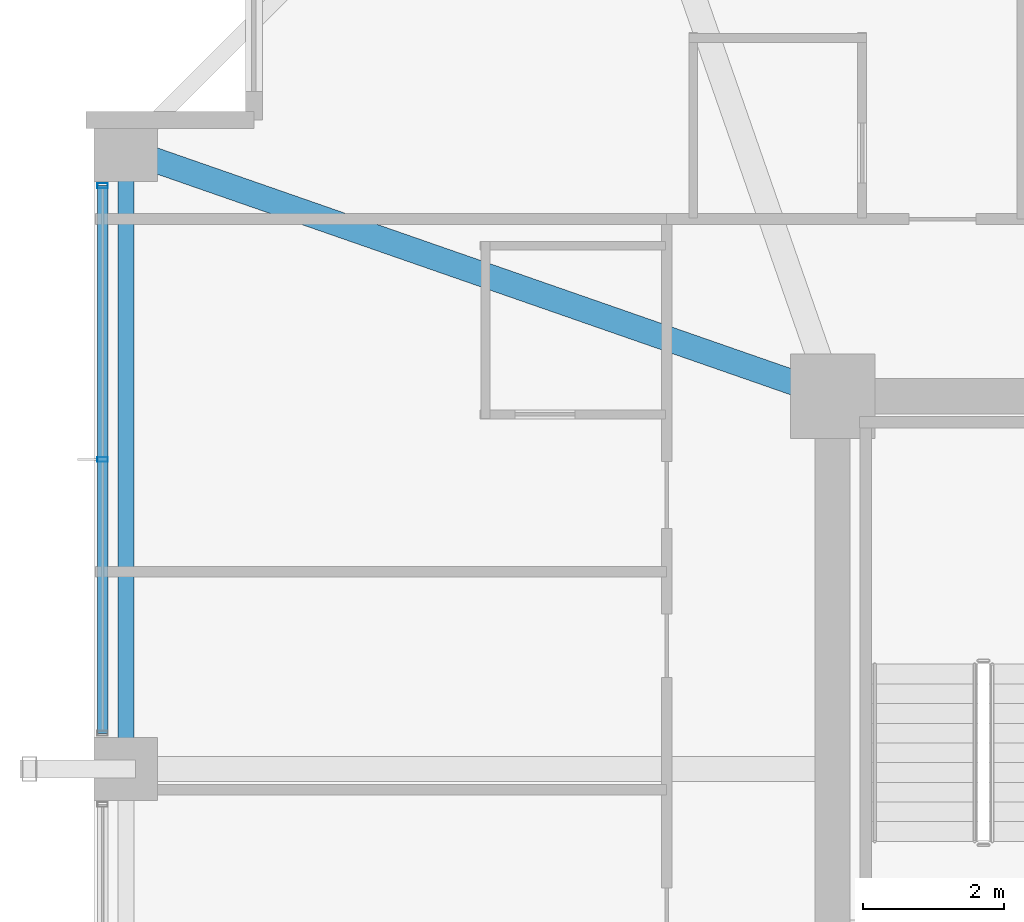
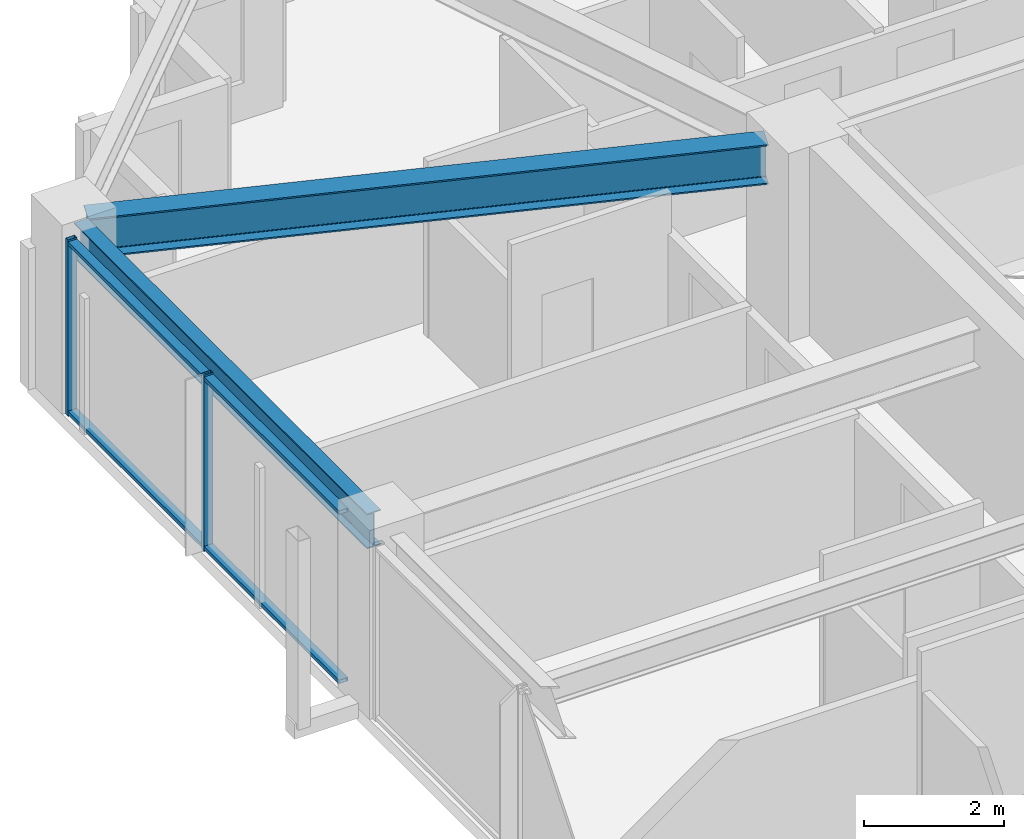
# One storey, part 16 of 37: 4 members, 2 beams, 1 element without a shape of its own.
"""IFC4 building model written with IfcOpenShell, lengths in metres."""

from ifc_helpers import new_model, si_unit, direction, frame, origin, origin_2d, place, context, subcontext, project, spatial, hollow_rectangle, i_section, extrude, material, material_profile, profile_set, type_object, element, aggregate, save


model = new_model("IFC4")

# Units and contexts
model_context = context("Model", 3, precision=1e-05, world=origin(), true_north=direction((0.0, 1.0)))
body_context = subcontext(model_context, "Body", "Model", "MODEL_VIEW")
ifc_project = project(units=[si_unit("LENGTHUNIT", "METRE"), si_unit("AREAUNIT", "SQUARE_METRE"), si_unit("VOLUMEUNIT", "CUBIC_METRE"), si_unit("PLANEANGLEUNIT", "RADIAN"), si_unit("MASSUNIT", "GRAM", prefix="KILO")], contexts=[model_context])

# Site, building, storey
site_placement = place(None, origin())
site = spatial("IfcSite", under=ifc_project, at=site_placement, CompositionType="ELEMENT")
building_placement = place(site_placement, origin())
building = spatial("IfcBuilding", under=site, at=building_placement, Name="Kolvaren Belvedere", CompositionType="ELEMENT")
storey_placement = place(building_placement, frame((0.0, 0.0, 180.0)))
storey = spatial("IfcBuildingStorey", under=building, at=storey_placement, Name="L52", CompositionType="ELEMENT", Elevation=180.0)

# Beams
ifc_material_1 = material(Name="Structural steel ASTM A992 Grade 50", Category="steel")
ifc_material_profile_1 = material_profile(ifc_material_1, i_section(OverallWidth=0.35498046875, OverallDepth=0.696044921875, WebThickness=0.015380859375, FlangeThickness=0.02490234375, FilletRadius=0.02197265625, at=origin_2d()), Name="W27X146")
ifc_profile_set_1 = profile_set([ifc_material_profile_1], Name="Structural steel ASTM A992 Grade 50")
beam_type_1 = type_object("IfcBeamType", Name="BM-GIRD-W27X146", PredefinedType="BEAM", material=ifc_profile_set_1)
beam_1_placement = place(storey_placement, frame((-10.41943359375, 10.080810546875, 2.73193359375), z_axis=(-0.944366798861, 0.328894130701, 0.0), x_axis=(-0.328894130701, -0.944366798861, 0.0)))
element("IfcBeam", 1, at=beam_1_placement, inside=storey, type_object=beam_type_1, Name="L52 Corner Core-to-Perimeter Girder CC4-W4", PredefinedType="BEAM", context=body_context, shape_type="SweptSolid", body=[
    extrude(i_section(OverallWidth=0.35498046875, OverallDepth=0.696044921875, WebThickness=0.015380859375, FlangeThickness=0.02490234375, FilletRadius=0.02197265625, at=origin_2d()), origin(), (0.0, 0.0, 1.0), 9.912109375),
])
ifc_material_2 = material(Name="Structural steel ASTM A992 Grade 50", Category="steel")
ifc_material_profile_2 = material_profile(ifc_material_2, i_section(OverallWidth=0.22900390625, OverallDepth=0.612060546875, WebThickness=0.011962890625, FlangeThickness=0.01953125, FilletRadius=0.01806640625, at=origin_2d()), Name="W24X84")
ifc_profile_set_2 = profile_set([ifc_material_profile_2], Name="Structural steel ASTM A992 Grade 50")
beam_type_2 = type_object("IfcBeamType", Name="BM-SPAN-W24X84", PredefinedType="SPANDREL", material=ifc_profile_set_2)
beam_2_placement = place(storey_placement, frame((-19.949951171875, 13.197509765625, 2.77392578125), z_axis=(0.0, -1.0, 0.0), x_axis=(1.0, 0.0, 0.0)))
element("IfcBeam", 2, at=beam_2_placement, inside=storey, type_object=beam_type_2, Name="L52 Perimeter Spandrel W4-W3", PredefinedType="SPANDREL", context=body_context, shape_type="SweptSolid", body=[
    extrude(i_section(OverallWidth=0.22900390625, OverallDepth=0.612060546875, WebThickness=0.011962890625, FlangeThickness=0.01953125, FilletRadius=0.01806640625, at=origin_2d()), origin(), (0.0, 0.0, 1.0), 8.39501953125),
])

# Curtain wall, members
ifc_material_3 = material(Name="Anodised pale-metal aluminium AA 6063-T6", Category="aluminium")
curtain_wall_type = type_object("IfcCurtainWallType", Name="CW-Z5-HIGH", PredefinedType="NOTDEFINED", material=ifc_material_3)
curtain_wall_placement = place(storey_placement, origin())
curtain_wall = element("IfcCurtainWall", 3, at=curtain_wall_placement, inside=storey, type_object=curtain_wall_type, Name="L52 Unitised Curtain Wall FCW-L52-W-B3", PredefinedType="NOTDEFINED")
ifc_material_4 = material(Name="Anodised pale-metal aluminium AA 6063-T6", Category="aluminium")
ifc_material_profile_3 = material_profile(ifc_material_4, hollow_rectangle(XDim=0.070068359375, YDim=0.14990234375, WallThickness=0.004150390625, at=origin_2d()), Name="ALU-MUL-150X70")
ifc_profile_set_3 = profile_set([ifc_material_profile_3], Name="Anodised pale-metal aluminium AA 6063-T6")
member_type_1 = type_object("IfcMemberType", Name="CW-MUL-150", PredefinedType="MULLION", material=ifc_profile_set_3)
member_1_placement = place(storey_placement, frame((-20.280029296875, 9.0, 0.0), z_axis=(0.0, 0.0, 1.0), x_axis=(0.0, 1.0, 0.0)))
member_1 = element("IfcMember", 4, at=member_1_placement, type_object=member_type_1, Name="FCW-L52-W-B3 Unitised Mullion 2", PredefinedType="MULLION", context=body_context, shape_type="SweptSolid", body=[
    extrude(hollow_rectangle(XDim=0.070068359375, YDim=0.14990234375, WallThickness=0.004150390625, at=origin_2d()), origin(), (0.0, 0.0, 1.0), 3.080078125),
])
member_2_placement = place(storey_placement, frame((-20.280029296875, 12.89501953125, 0.0), z_axis=(0.0, 0.0, 1.0), x_axis=(0.0, 1.0, 0.0)))
member_2 = element("IfcMember", 5, at=member_2_placement, type_object=member_type_1, Name="FCW-L52-W-B3 Unitised Mullion 3", PredefinedType="MULLION", context=body_context, shape_type="SweptSolid", body=[
    extrude(hollow_rectangle(XDim=0.070068359375, YDim=0.14990234375, WallThickness=0.004150390625, at=origin_2d()), origin(), (0.0, 0.0, 1.0), 3.080078125),
])
ifc_material_5 = material(Name="Anodised pale-metal aluminium AA 6063-T6", Category="aluminium")
ifc_material_profile_4 = material_profile(ifc_material_5, hollow_rectangle(XDim=0.06494140625, YDim=0.14990234375, WallThickness=0.00390625, at=origin_2d()), Name="ALU-TRN-150X65")
ifc_profile_set_4 = profile_set([ifc_material_profile_4], Name="Anodised pale-metal aluminium AA 6063-T6")
member_type_2 = type_object("IfcMemberType", Name="CW-TRN-150", PredefinedType="USERDEFINED", material=ifc_profile_set_4)
member_3_placement = place(storey_placement, frame((-20.280029296875, 5.10498046875, 0.06005859375), z_axis=(0.0, 1.0, 0.0), x_axis=(0.0, 0.0, 1.0)))
member_3 = element("IfcMember", 6, at=member_3_placement, type_object=member_type_2, Name="FCW-L52-W-B3 Sill Transom", ObjectType="TRANSOM", PredefinedType="USERDEFINED", context=body_context, shape_type="SweptSolid", body=[
    extrude(hollow_rectangle(XDim=0.06494140625, YDim=0.14990234375, WallThickness=0.00390625, at=origin_2d()), origin(), (0.0, 0.0, 1.0), 7.7900390625),
])
member_4_placement = place(storey_placement, frame((-20.280029296875, 5.10498046875, 3.02001953125), z_axis=(0.0, 1.0, 0.0), x_axis=(0.0, 0.0, 1.0)))
member_4 = element("IfcMember", 7, at=member_4_placement, type_object=member_type_2, Name="FCW-L52-W-B3 Head Transom", ObjectType="TRANSOM", PredefinedType="USERDEFINED", context=body_context, shape_type="SweptSolid", body=[
    extrude(hollow_rectangle(XDim=0.06494140625, YDim=0.14990234375, WallThickness=0.00390625, at=origin_2d()), origin(), (0.0, 0.0, 1.0), 7.7900390625),
])
aggregate(curtain_wall, [member_1, member_2, member_3, member_4])

save(model, "model.ifc")
